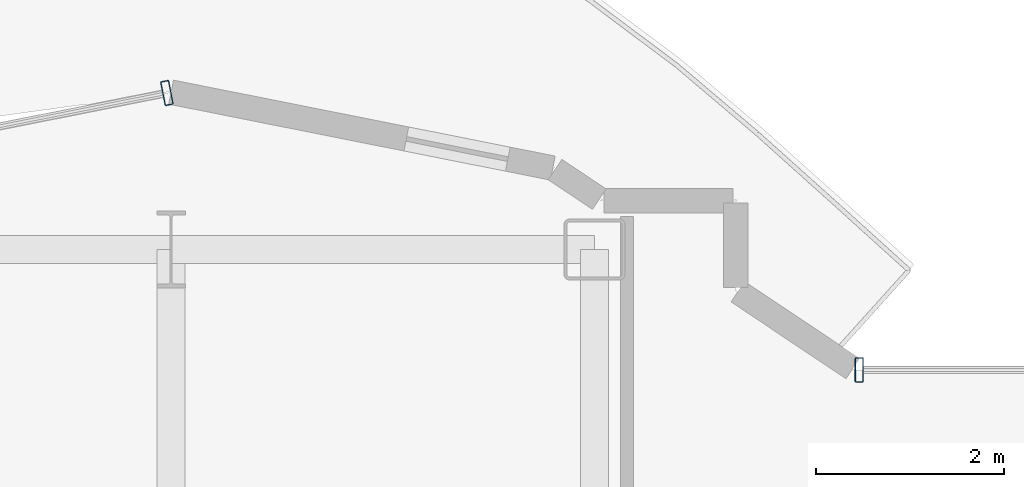
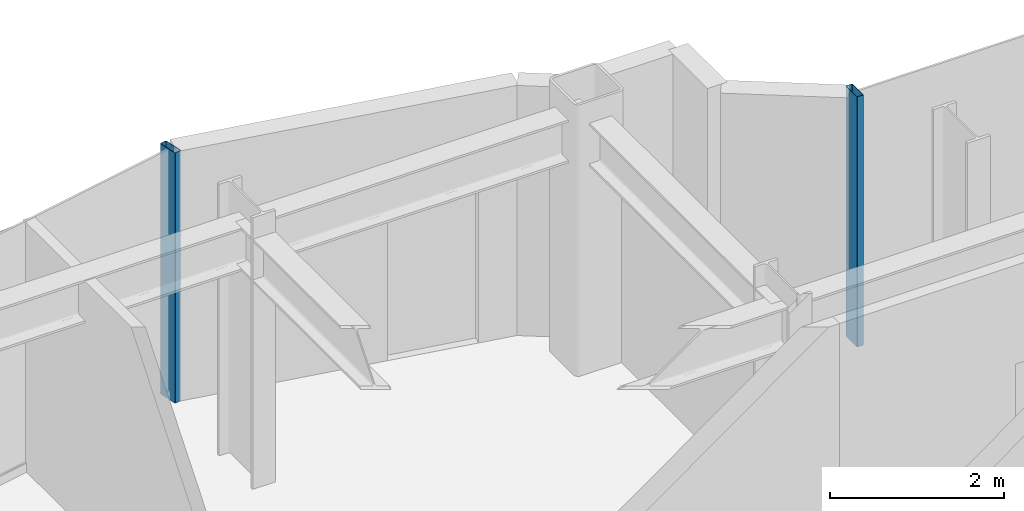
# One storey, part 10 of 21: 2 members, 2 elements without a shape of their own.
"""IFC4 building model written with IfcOpenShell, lengths in metres."""

from ifc_helpers import new_model, si_unit, direction, frame, origin, origin_2d, place, context, subcontext, project, spatial, hollow_rectangle, extrude, source, transform, mapped, material, layer, layer_set, material_profile, profile_set, type_object, element, aggregate, save


model = new_model("IFC4")

# Units and contexts
model_context = context("Model", 3, precision=1e-05, world=origin(), true_north=direction((0.0, 1.0)))
body_context = subcontext(model_context, "Body", "Model", "MODEL_VIEW")
ifc_project = project(units=[si_unit("LENGTHUNIT", "METRE"), si_unit("AREAUNIT", "SQUARE_METRE"), si_unit("VOLUMEUNIT", "CUBIC_METRE"), si_unit("PLANEANGLEUNIT", "RADIAN"), si_unit("MASSUNIT", "GRAM", prefix="KILO")], contexts=[model_context])

# Site, building, storey
site_placement = place(None, origin())
site = spatial("IfcSite", under=ifc_project, at=site_placement, CompositionType="ELEMENT")
building_placement = place(site_placement, origin())
building = spatial("IfcBuilding", under=site, at=building_placement, Name="Nefas-Gora Pilgrimage Tower", CompositionType="ELEMENT")
storey_placement = place(building_placement, frame((0.0, 0.0, 256.0)))
storey = spatial("IfcBuildingStorey", under=building, at=storey_placement, Name="L64", CompositionType="ELEMENT", Elevation=256.0)

# Curtain wall, member
ifc_material_1 = material(Name="Dark ceramic-fritted solar-control aluminium-glass curtain wall", Category="aluminium")
ifc_layer = layer(ifc_material_1, 0.219970703125)
ifc_layer_set = layer_set([ifc_layer], Name="Dark ceramic-fritted solar-control aluminium-glass curtain wall")
curtain_wall_type = type_object("IfcCurtainWallType", Name="CW-SYS-5", PredefinedType="NOTDEFINED", material=ifc_layer_set)
curtain_wall_1_placement = place(storey_placement, origin())
curtain_wall_1 = element("IfcCurtainWall", 1, at=curtain_wall_1_placement, inside=storey, type_object=curtain_wall_type, Name="L64 Unitised Curtain Wall CW5", PredefinedType="NOTDEFINED")
ifc_material_2 = material(Name="Anodised architectural aluminium", Category="aluminium")
ifc_material_profile = material_profile(ifc_material_2, hollow_rectangle(XDim=0.090087890625, YDim=0.260009765625, WallThickness=0.006103515625, InnerFilletRadius=0.006103515625, OuterFilletRadius=0.011962890625, at=origin_2d()), Name="ALU MULLION 90x260")
ifc_profile_set = profile_set([ifc_material_profile], Name="Anodised architectural aluminium")
member_type = type_object("IfcMemberType", Name="CWM-MUL-5", PredefinedType="MULLION", material=ifc_profile_set)
shared_shape = source(origin(), body_context, "Body", "SweptSolid", [
    extrude(hollow_rectangle(XDim=0.090087890625, YDim=0.260009765625, WallThickness=0.006103515625, InnerFilletRadius=0.006103515625, OuterFilletRadius=0.011962890625, at=origin_2d()), origin(), (0.0, 0.0, 1.0), 3.5),
])
member_1_placement = place(storey_placement, frame((5.06298828125, 21.219970703125, 0.0), z_axis=(0.0, 0.0, 1.0), x_axis=(-1.0, 0.0, 0.0)))
member_1 = element("IfcMember", 2, at=member_1_placement, type_object=member_type, Name="CW5 Mullion 2", PredefinedType="MULLION", context=body_context, shape_type="MappedRepresentation", body=[
    mapped(shared_shape, transform((0.0, 0.0, 0.0), x_axis=(1.0, 0.0, 0.0), y_axis=(0.0, 1.0, 0.0), z_axis=(0.0, 0.0, 1.0), scale=1.0)),
])
aggregate(curtain_wall_1, [member_1])

curtain_wall_2_placement = place(storey_placement, origin())
curtain_wall_2 = element("IfcCurtainWall", 3, at=curtain_wall_2_placement, inside=storey, type_object=curtain_wall_type, Name="L64 Unitised Curtain Wall CW5", PredefinedType="NOTDEFINED")
member_2_placement = place(storey_placement, frame((-2.294189453125, 24.16357421875, 0.0), z_axis=(0.0, 0.0, 1.0), x_axis=(-0.980782896852, -0.195102304554, 0.0)))
member_2 = element("IfcMember", 4, at=member_2_placement, type_object=member_type, Name="CW5 Mullion 1", PredefinedType="MULLION", context=body_context, shape_type="MappedRepresentation", body=[
    mapped(shared_shape, transform((0.0, 0.0, 0.0), x_axis=(1.0, 0.0, 0.0), y_axis=(0.0, 1.0, 0.0), z_axis=(0.0, 0.0, 1.0), scale=1.0)),
])
aggregate(curtain_wall_2, [member_2])

save(model, "model.ifc")
